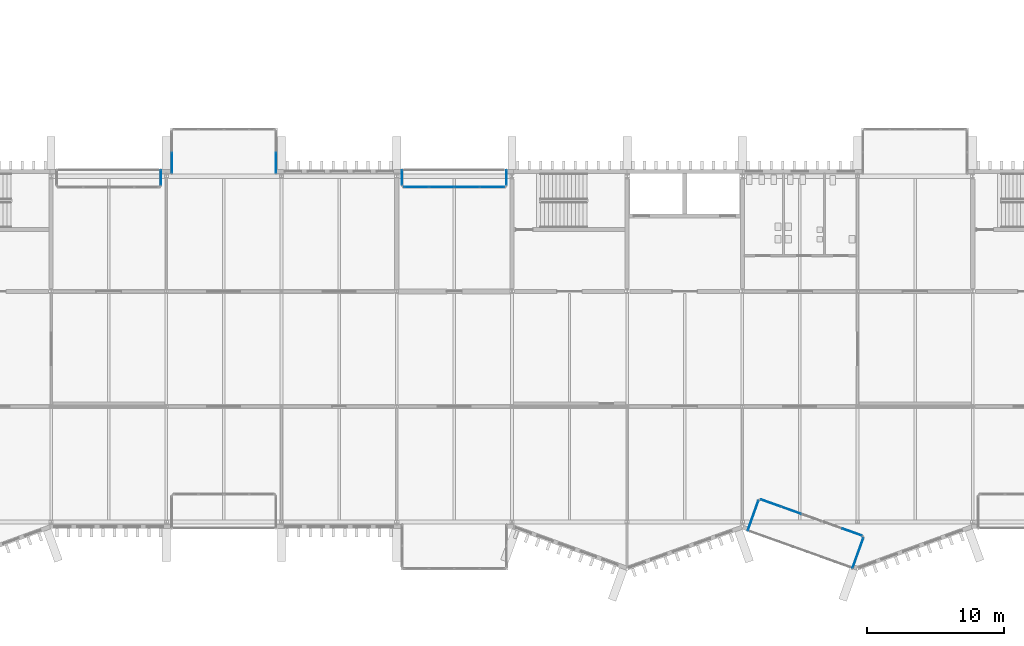
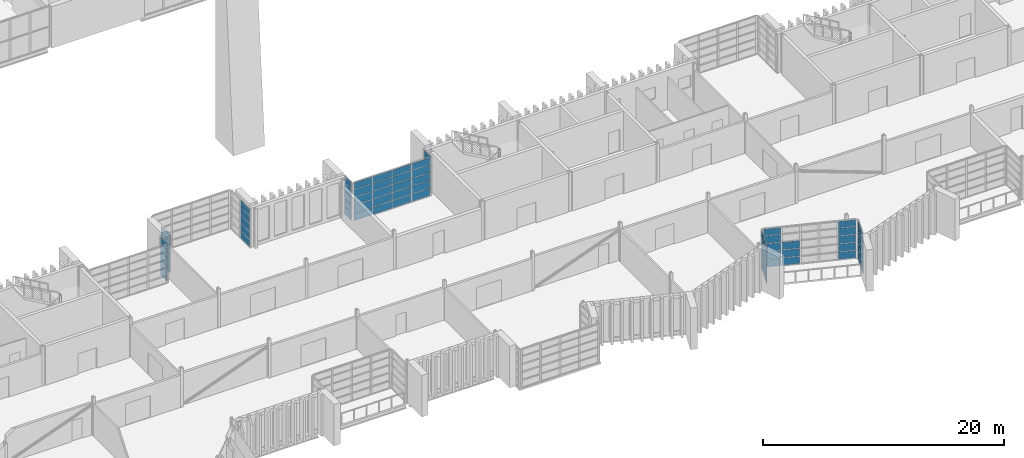
# One storey, part 47 of 88: 68 plates, 9 elements without a shape of their own.
"""IFC4 building model written with IfcOpenShell, lengths in metres."""

from ifc_helpers import new_model, si_unit, direction, frame, origin, origin_2d, place, context, subcontext, project, spatial, rectangle, extrude, material, layer, layer_set, type_object, element, aggregate, save


model = new_model("IFC4")

# Units and contexts
model_context = context("Model", 3, precision=1e-05, world=origin(), true_north=direction((0.0, 1.0)))
body_context = subcontext(model_context, "Body", "Model", "MODEL_VIEW")
ifc_project = project(units=[si_unit("LENGTHUNIT", "METRE"), si_unit("AREAUNIT", "SQUARE_METRE"), si_unit("VOLUMEUNIT", "CUBIC_METRE"), si_unit("PLANEANGLEUNIT", "RADIAN"), si_unit("MASSUNIT", "GRAM", prefix="KILO")], contexts=[model_context])

# Site, building, storey
site_placement = place(None, origin())
site = spatial("IfcSite", under=ifc_project, at=site_placement, CompositionType="ELEMENT")
building_placement = place(site_placement, origin())
building = spatial("IfcBuilding", under=site, at=building_placement, Name="Cresset Court Congress Hotel", CompositionType="ELEMENT")
storey_placement = place(building_placement, frame((0.0, 0.0, 14.39990234375)))
storey = spatial("IfcBuildingStorey", under=building, at=storey_placement, Name="L03", CompositionType="ELEMENT", Elevation=14.39990234375)

# Curtain wall, plates
ifc_material_1 = material(Name="Aluminium frame with double glazing", Category="aluminium")
ifc_layer_1 = layer(ifc_material_1, 0.199951171875)
ifc_layer_set_1 = layer_set([ifc_layer_1], Name="Glazed box curtain wall 1680 module")
curtain_wall_type = type_object("IfcCurtainWallType", Name="Glazed box curtain wall 1680 module", PredefinedType="NOTDEFINED", material=ifc_layer_set_1)
curtain_wall_1_placement = place(storey_placement, origin())
curtain_wall_1 = element("IfcCurtainWall", 1, at=curtain_wall_1_placement, inside=storey, type_object=curtain_wall_type, Name="Glazed box S0317 front", PredefinedType="NOTDEFINED")
ifc_material_2 = material(Name="Toughened double glazing", Category="glass")
ifc_layer_2 = layer(ifc_material_2, 0.028076171875)
ifc_layer_set_2 = layer_set([ifc_layer_2], Name="Box glass panel 28")
plate_type_1 = type_object("IfcPlateType", Name="Box glass panel 28", PredefinedType="CURTAIN_PANEL", material=ifc_layer_set_2)
plate_1_placement = place(storey_placement, frame((119.671630859375, 1.36474609375, 0.06005859375), z_axis=(0.0, 0.0, 1.0), x_axis=(0.941741911601, -0.336336396981, 0.0)))
plate_1 = element("IfcPlate", 2, at=plate_1_placement, type_object=plate_type_1, Name="B-X1 panel 1.1", PredefinedType="CURTAIN_PANEL", context=body_context, shape_type="SweptSolid", body=[
    extrude(rectangle(XDim=1.493896484375, YDim=0.028076171875, at=origin_2d()), origin(), (0.0, 0.0, 1.0), 0.715087890625),
])
plate_2_placement = place(storey_placement, frame((119.671630859375, 1.36474609375, 0.8349609375), z_axis=(0.0, 0.0, 1.0), x_axis=(0.941741911601, -0.336336396981, 0.0)))
plate_2 = element("IfcPlate", 3, at=plate_2_placement, type_object=plate_type_1, Name="B-X1 panel 1.2", PredefinedType="CURTAIN_PANEL", context=body_context, shape_type="SweptSolid", body=[
    extrude(rectangle(XDim=1.493896484375, YDim=0.028076171875, at=origin_2d()), origin(), (0.0, 0.0, 1.0), 0.7451171875),
])
plate_3_placement = place(storey_placement, frame((119.671630859375, 1.36474609375, 1.64013671875), z_axis=(0.0, 0.0, 1.0), x_axis=(0.941741911601, -0.336336396981, 0.0)))
plate_3 = element("IfcPlate", 4, at=plate_3_placement, type_object=plate_type_1, Name="B-X1 panel 1.3", PredefinedType="CURTAIN_PANEL", context=body_context, shape_type="SweptSolid", body=[
    extrude(rectangle(XDim=1.493896484375, YDim=0.028076171875, at=origin_2d()), origin(), (0.0, 0.0, 1.0), 0.7451171875),
])
plate_4_placement = place(storey_placement, frame((119.671630859375, 1.36474609375, 2.445068359375), z_axis=(0.0, 0.0, 1.0), x_axis=(0.941741911601, -0.336336396981, 0.0)))
plate_4 = element("IfcPlate", 5, at=plate_4_placement, type_object=plate_type_1, Name="B-X1 panel 1.4", PredefinedType="CURTAIN_PANEL", context=body_context, shape_type="SweptSolid", body=[
    extrude(rectangle(XDim=1.493896484375, YDim=0.028076171875, at=origin_2d()), origin(), (0.0, 0.0, 1.0), 0.7451171875),
])
plate_5_placement = place(storey_placement, frame((121.149169921875, 0.837158203125, 0.06005859375), z_axis=(0.0, 0.0, 1.0), x_axis=(0.941741911601, -0.336336396981, 0.0)))
plate_5 = element("IfcPlate", 6, at=plate_5_placement, type_object=plate_type_1, Name="B-X1 panel 2.1", PredefinedType="CURTAIN_PANEL", context=body_context, shape_type="SweptSolid", body=[
    extrude(rectangle(XDim=1.52392578125, YDim=0.028076171875, at=origin_2d()), origin(), (0.0, 0.0, 1.0), 0.715087890625),
])
plate_6_placement = place(storey_placement, frame((121.149169921875, 0.837158203125, 0.8349609375), z_axis=(0.0, 0.0, 1.0), x_axis=(0.941741911601, -0.336336396981, 0.0)))
plate_6 = element("IfcPlate", 7, at=plate_6_placement, type_object=plate_type_1, Name="B-X1 panel 2.2", PredefinedType="CURTAIN_PANEL", context=body_context, shape_type="SweptSolid", body=[
    extrude(rectangle(XDim=1.52392578125, YDim=0.028076171875, at=origin_2d()), origin(), (0.0, 0.0, 1.0), 0.7451171875),
])
plate_7_placement = place(storey_placement, frame((121.149169921875, 0.837158203125, 1.64013671875), z_axis=(0.0, 0.0, 1.0), x_axis=(0.941741911601, -0.336336396981, 0.0)))
plate_7 = element("IfcPlate", 8, at=plate_7_placement, type_object=plate_type_1, Name="B-X1 panel 2.3", PredefinedType="CURTAIN_PANEL", context=body_context, shape_type="SweptSolid", body=[
    extrude(rectangle(XDim=1.52392578125, YDim=0.028076171875, at=origin_2d()), origin(), (0.0, 0.0, 1.0), 0.7451171875),
])
plate_8_placement = place(storey_placement, frame((125.610107421875, -0.756103515625, 0.06005859375), z_axis=(0.0, 0.0, 1.0), x_axis=(0.941741911601, -0.336336396981, 0.0)))
plate_8 = element("IfcPlate", 9, at=plate_8_placement, type_object=plate_type_1, Name="B-X1 panel 5.1", PredefinedType="CURTAIN_PANEL", context=body_context, shape_type="SweptSolid", body=[
    extrude(rectangle(XDim=1.493896484375, YDim=0.028076171875, at=origin_2d()), origin(), (0.0, 0.0, 1.0), 0.715087890625),
])
plate_9_placement = place(storey_placement, frame((125.610107421875, -0.756103515625, 0.8349609375), z_axis=(0.0, 0.0, 1.0), x_axis=(0.941741911601, -0.336336396981, 0.0)))
plate_9 = element("IfcPlate", 10, at=plate_9_placement, type_object=plate_type_1, Name="B-X1 panel 5.2", PredefinedType="CURTAIN_PANEL", context=body_context, shape_type="SweptSolid", body=[
    extrude(rectangle(XDim=1.493896484375, YDim=0.028076171875, at=origin_2d()), origin(), (0.0, 0.0, 1.0), 0.7451171875),
])
plate_10_placement = place(storey_placement, frame((125.610107421875, -0.756103515625, 1.64013671875), z_axis=(0.0, 0.0, 1.0), x_axis=(0.941741911601, -0.336336396981, 0.0)))
plate_10 = element("IfcPlate", 11, at=plate_10_placement, type_object=plate_type_1, Name="B-X1 panel 5.3", PredefinedType="CURTAIN_PANEL", context=body_context, shape_type="SweptSolid", body=[
    extrude(rectangle(XDim=1.493896484375, YDim=0.028076171875, at=origin_2d()), origin(), (0.0, 0.0, 1.0), 0.7451171875),
])
plate_11_placement = place(storey_placement, frame((125.610107421875, -0.756103515625, 2.445068359375), z_axis=(0.0, 0.0, 1.0), x_axis=(0.941741911601, -0.336336396981, 0.0)))
plate_11 = element("IfcPlate", 12, at=plate_11_placement, type_object=plate_type_1, Name="B-X1 panel 5.4", PredefinedType="CURTAIN_PANEL", context=body_context, shape_type="SweptSolid", body=[
    extrude(rectangle(XDim=1.493896484375, YDim=0.028076171875, at=origin_2d()), origin(), (0.0, 0.0, 1.0), 0.7451171875),
])

curtain_wall_2_placement = place(storey_placement, origin())
curtain_wall_2 = element("IfcCurtainWall", 13, at=curtain_wall_2_placement, inside=storey, type_object=curtain_wall_type, Name="Glazed box S0317 side", PredefinedType="NOTDEFINED")
plate_12_placement = place(storey_placement, frame((118.38037109375, 0.445556640625, 0.06005859375), z_axis=(0.0, 0.0, 1.0), x_axis=(0.336336396685, 0.941741911707, 0.0)))
plate_12 = element("IfcPlate", 14, at=plate_12_placement, type_object=plate_type_1, Name="B-X1 panel 1.1", PredefinedType="CURTAIN_PANEL", context=body_context, shape_type="SweptSolid", body=[
    extrude(rectangle(XDim=2.280029296875, YDim=0.028076171875, at=origin_2d()), origin(), (0.0, 0.0, 1.0), 0.715087890625),
])
plate_13_placement = place(storey_placement, frame((118.38037109375, 0.445556640625, 0.8349609375), z_axis=(0.0, 0.0, 1.0), x_axis=(0.336336396685, 0.941741911707, 0.0)))
plate_13 = element("IfcPlate", 15, at=plate_13_placement, type_object=plate_type_1, Name="B-X1 panel 1.2", PredefinedType="CURTAIN_PANEL", context=body_context, shape_type="SweptSolid", body=[
    extrude(rectangle(XDim=2.280029296875, YDim=0.028076171875, at=origin_2d()), origin(), (0.0, 0.0, 1.0), 0.7451171875),
])
plate_14_placement = place(storey_placement, frame((118.38037109375, 0.445556640625, 1.64013671875), z_axis=(0.0, 0.0, 1.0), x_axis=(0.336336396685, 0.941741911707, 0.0)))
plate_14 = element("IfcPlate", 16, at=plate_14_placement, type_object=plate_type_1, Name="B-X1 panel 1.3", PredefinedType="CURTAIN_PANEL", context=body_context, shape_type="SweptSolid", body=[
    extrude(rectangle(XDim=2.280029296875, YDim=0.028076171875, at=origin_2d()), origin(), (0.0, 0.0, 1.0), 0.7451171875),
])
plate_15_placement = place(storey_placement, frame((118.38037109375, 0.445556640625, 2.445068359375), z_axis=(0.0, 0.0, 1.0), x_axis=(0.336336396685, 0.941741911707, 0.0)))
plate_15 = element("IfcPlate", 17, at=plate_15_placement, type_object=plate_type_1, Name="B-X1 panel 1.4", PredefinedType="CURTAIN_PANEL", context=body_context, shape_type="SweptSolid", body=[
    extrude(rectangle(XDim=2.280029296875, YDim=0.028076171875, at=origin_2d()), origin(), (0.0, 0.0, 1.0), 0.7451171875),
])

curtain_wall_3_placement = place(storey_placement, origin())
curtain_wall_3 = element("IfcCurtainWall", 18, at=curtain_wall_3_placement, inside=storey, type_object=curtain_wall_type, Name="Glazed box S0317 side", PredefinedType="NOTDEFINED")
plate_16_placement = place(storey_placement, frame((126.02685546875, -2.285400390625, 0.06005859375), z_axis=(0.0, 0.0, 1.0), x_axis=(0.336336397047, 0.941741911578, 0.0)))
plate_16 = element("IfcPlate", 19, at=plate_16_placement, type_object=plate_type_1, Name="B-X1 panel 1.1", PredefinedType="CURTAIN_PANEL", context=body_context, shape_type="SweptSolid", body=[
    extrude(rectangle(XDim=2.280029296875, YDim=0.028076171875, at=origin_2d()), origin(), (0.0, 0.0, 1.0), 0.715087890625),
])
plate_17_placement = place(storey_placement, frame((126.02685546875, -2.285400390625, 0.8349609375), z_axis=(0.0, 0.0, 1.0), x_axis=(0.336336397047, 0.941741911578, 0.0)))
plate_17 = element("IfcPlate", 20, at=plate_17_placement, type_object=plate_type_1, Name="B-X1 panel 1.2", PredefinedType="CURTAIN_PANEL", context=body_context, shape_type="SweptSolid", body=[
    extrude(rectangle(XDim=2.280029296875, YDim=0.028076171875, at=origin_2d()), origin(), (0.0, 0.0, 1.0), 0.7451171875),
])
plate_18_placement = place(storey_placement, frame((126.02685546875, -2.285400390625, 1.64013671875), z_axis=(0.0, 0.0, 1.0), x_axis=(0.336336397047, 0.941741911578, 0.0)))
plate_18 = element("IfcPlate", 21, at=plate_18_placement, type_object=plate_type_1, Name="B-X1 panel 1.3", PredefinedType="CURTAIN_PANEL", context=body_context, shape_type="SweptSolid", body=[
    extrude(rectangle(XDim=2.280029296875, YDim=0.028076171875, at=origin_2d()), origin(), (0.0, 0.0, 1.0), 0.7451171875),
])
plate_19_placement = place(storey_placement, frame((126.02685546875, -2.285400390625, 2.445068359375), z_axis=(0.0, 0.0, 1.0), x_axis=(0.336336397047, 0.941741911578, 0.0)))
plate_19 = element("IfcPlate", 22, at=plate_19_placement, type_object=plate_type_1, Name="B-X1 panel 1.4", PredefinedType="CURTAIN_PANEL", context=body_context, shape_type="SweptSolid", body=[
    extrude(rectangle(XDim=2.280029296875, YDim=0.028076171875, at=origin_2d()), origin(), (0.0, 0.0, 1.0), 0.7451171875),
])

curtain_wall_4_placement = place(storey_placement, origin())
curtain_wall_4 = element("IfcCurtainWall", 23, at=curtain_wall_4_placement, inside=storey, type_object=curtain_wall_type, Name="Glazed box N0327 side", PredefinedType="NOTDEFINED")
plate_20_placement = place(storey_placement, frame((75.199951171875, 25.10009765625, 0.06005859375), z_axis=(0.0, 0.0, 1.0), x_axis=(0.0, -1.0, 0.0)))
plate_20 = element("IfcPlate", 24, at=plate_20_placement, type_object=plate_type_1, Name="B-X1 panel 1.1", PredefinedType="CURTAIN_PANEL", context=body_context, shape_type="SweptSolid", body=[
    extrude(rectangle(XDim=1.080078125, YDim=0.028076171875, at=origin_2d()), origin(), (0.0, 0.0, 1.0), 0.715087890625),
])
plate_21_placement = place(storey_placement, frame((75.199951171875, 25.10009765625, 0.8349609375), z_axis=(0.0, 0.0, 1.0), x_axis=(0.0, -1.0, 0.0)))
plate_21 = element("IfcPlate", 25, at=plate_21_placement, type_object=plate_type_1, Name="B-X1 panel 1.2", PredefinedType="CURTAIN_PANEL", context=body_context, shape_type="SweptSolid", body=[
    extrude(rectangle(XDim=1.080078125, YDim=0.028076171875, at=origin_2d()), origin(), (0.0, 0.0, 1.0), 0.7451171875),
])
plate_22_placement = place(storey_placement, frame((75.199951171875, 25.10009765625, 1.64013671875), z_axis=(0.0, 0.0, 1.0), x_axis=(0.0, -1.0, 0.0)))
plate_22 = element("IfcPlate", 26, at=plate_22_placement, type_object=plate_type_1, Name="B-X1 panel 1.3", PredefinedType="CURTAIN_PANEL", context=body_context, shape_type="SweptSolid", body=[
    extrude(rectangle(XDim=1.080078125, YDim=0.028076171875, at=origin_2d()), origin(), (0.0, 0.0, 1.0), 0.7451171875),
])
plate_23_placement = place(storey_placement, frame((75.199951171875, 25.10009765625, 2.445068359375), z_axis=(0.0, 0.0, 1.0), x_axis=(0.0, -1.0, 0.0)))
plate_23 = element("IfcPlate", 27, at=plate_23_placement, type_object=plate_type_1, Name="B-X1 panel 1.4", PredefinedType="CURTAIN_PANEL", context=body_context, shape_type="SweptSolid", body=[
    extrude(rectangle(XDim=1.080078125, YDim=0.028076171875, at=origin_2d()), origin(), (0.0, 0.0, 1.0), 0.7451171875),
])

curtain_wall_5_placement = place(storey_placement, origin())
curtain_wall_5 = element("IfcCurtainWall", 28, at=curtain_wall_5_placement, inside=storey, type_object=curtain_wall_type, Name="Glazed box N0329 side", PredefinedType="NOTDEFINED")
plate_24_placement = place(storey_placement, frame((76.0, 26.18994140625, 0.06005859375), z_axis=(0.0, 0.0, 1.0), x_axis=(0.0, 1.0, 0.0)))
plate_24 = element("IfcPlate", 29, at=plate_24_placement, type_object=plate_type_1, Name="B-X1 panel 1.1", PredefinedType="CURTAIN_PANEL", context=body_context, shape_type="SweptSolid", body=[
    extrude(rectangle(XDim=1.4599609375, YDim=0.028076171875, at=origin_2d()), origin(), (0.0, 0.0, 1.0), 0.715087890625),
])
plate_25_placement = place(storey_placement, frame((76.0, 26.18994140625, 0.8349609375), z_axis=(0.0, 0.0, 1.0), x_axis=(0.0, 1.0, 0.0)))
plate_25 = element("IfcPlate", 30, at=plate_25_placement, type_object=plate_type_1, Name="B-X1 panel 1.2", PredefinedType="CURTAIN_PANEL", context=body_context, shape_type="SweptSolid", body=[
    extrude(rectangle(XDim=1.4599609375, YDim=0.028076171875, at=origin_2d()), origin(), (0.0, 0.0, 1.0), 0.7451171875),
])
plate_26_placement = place(storey_placement, frame((76.0, 26.18994140625, 1.64013671875), z_axis=(0.0, 0.0, 1.0), x_axis=(0.0, 1.0, 0.0)))
plate_26 = element("IfcPlate", 31, at=plate_26_placement, type_object=plate_type_1, Name="B-X1 panel 1.3", PredefinedType="CURTAIN_PANEL", context=body_context, shape_type="SweptSolid", body=[
    extrude(rectangle(XDim=1.4599609375, YDim=0.028076171875, at=origin_2d()), origin(), (0.0, 0.0, 1.0), 0.7451171875),
])
plate_27_placement = place(storey_placement, frame((76.0, 26.18994140625, 2.445068359375), z_axis=(0.0, 0.0, 1.0), x_axis=(0.0, 1.0, 0.0)))
plate_27 = element("IfcPlate", 32, at=plate_27_placement, type_object=plate_type_1, Name="B-X1 panel 1.4", PredefinedType="CURTAIN_PANEL", context=body_context, shape_type="SweptSolid", body=[
    extrude(rectangle(XDim=1.4599609375, YDim=0.028076171875, at=origin_2d()), origin(), (0.0, 0.0, 1.0), 0.7451171875),
])

curtain_wall_6_placement = place(storey_placement, origin())
curtain_wall_6 = element("IfcCurtainWall", 33, at=curtain_wall_6_placement, inside=storey, type_object=curtain_wall_type, Name="Glazed box N0329 side", PredefinedType="NOTDEFINED")
plate_28_placement = place(storey_placement, frame((83.60009765625, 26.18994140625, 0.06005859375), z_axis=(0.0, 0.0, 1.0), x_axis=(0.0, 1.0, 0.0)))
plate_28 = element("IfcPlate", 34, at=plate_28_placement, type_object=plate_type_1, Name="B-X1 panel 1.1", PredefinedType="CURTAIN_PANEL", context=body_context, shape_type="SweptSolid", body=[
    extrude(rectangle(XDim=1.4599609375, YDim=0.028076171875, at=origin_2d()), origin(), (0.0, 0.0, 1.0), 0.715087890625),
])
plate_29_placement = place(storey_placement, frame((83.60009765625, 26.18994140625, 0.8349609375), z_axis=(0.0, 0.0, 1.0), x_axis=(0.0, 1.0, 0.0)))
plate_29 = element("IfcPlate", 35, at=plate_29_placement, type_object=plate_type_1, Name="B-X1 panel 1.2", PredefinedType="CURTAIN_PANEL", context=body_context, shape_type="SweptSolid", body=[
    extrude(rectangle(XDim=1.4599609375, YDim=0.028076171875, at=origin_2d()), origin(), (0.0, 0.0, 1.0), 0.7451171875),
])
plate_30_placement = place(storey_placement, frame((83.60009765625, 26.18994140625, 1.64013671875), z_axis=(0.0, 0.0, 1.0), x_axis=(0.0, 1.0, 0.0)))
plate_30 = element("IfcPlate", 36, at=plate_30_placement, type_object=plate_type_1, Name="B-X1 panel 1.3", PredefinedType="CURTAIN_PANEL", context=body_context, shape_type="SweptSolid", body=[
    extrude(rectangle(XDim=1.4599609375, YDim=0.028076171875, at=origin_2d()), origin(), (0.0, 0.0, 1.0), 0.7451171875),
])
plate_31_placement = place(storey_placement, frame((83.60009765625, 26.18994140625, 2.445068359375), z_axis=(0.0, 0.0, 1.0), x_axis=(0.0, 1.0, 0.0)))
plate_31 = element("IfcPlate", 37, at=plate_31_placement, type_object=plate_type_1, Name="B-X1 panel 1.4", PredefinedType="CURTAIN_PANEL", context=body_context, shape_type="SweptSolid", body=[
    extrude(rectangle(XDim=1.4599609375, YDim=0.028076171875, at=origin_2d()), origin(), (0.0, 0.0, 1.0), 0.7451171875),
])

curtain_wall_7_placement = place(storey_placement, origin())
curtain_wall_7 = element("IfcCurtainWall", 38, at=curtain_wall_7_placement, inside=storey, type_object=curtain_wall_type, Name="Glazed box N0331 front", PredefinedType="NOTDEFINED")
plate_32_placement = place(storey_placement, frame((93.840087890625, 24.39990234375, 0.06005859375), z_axis=(0.0, 0.0, 1.0), x_axis=(1.0, 0.0, 0.0)))
plate_32 = element("IfcPlate", 39, at=plate_32_placement, type_object=plate_type_1, Name="B-X1 panel 1.1", PredefinedType="CURTAIN_PANEL", context=body_context, shape_type="SweptSolid", body=[
    extrude(rectangle(XDim=1.760009765625, YDim=0.028076171875, at=origin_2d()), origin(), (0.0, 0.0, 1.0), 0.715087890625),
])
plate_33_placement = place(storey_placement, frame((93.840087890625, 24.39990234375, 0.8349609375), z_axis=(0.0, 0.0, 1.0), x_axis=(1.0, 0.0, 0.0)))
plate_33 = element("IfcPlate", 40, at=plate_33_placement, type_object=plate_type_1, Name="B-X1 panel 1.2", PredefinedType="CURTAIN_PANEL", context=body_context, shape_type="SweptSolid", body=[
    extrude(rectangle(XDim=1.760009765625, YDim=0.028076171875, at=origin_2d()), origin(), (0.0, 0.0, 1.0), 0.7451171875),
])
plate_34_placement = place(storey_placement, frame((93.840087890625, 24.39990234375, 1.64013671875), z_axis=(0.0, 0.0, 1.0), x_axis=(1.0, 0.0, 0.0)))
plate_34 = element("IfcPlate", 41, at=plate_34_placement, type_object=plate_type_1, Name="B-X1 panel 1.3", PredefinedType="CURTAIN_PANEL", context=body_context, shape_type="SweptSolid", body=[
    extrude(rectangle(XDim=1.760009765625, YDim=0.028076171875, at=origin_2d()), origin(), (0.0, 0.0, 1.0), 0.7451171875),
])
plate_35_placement = place(storey_placement, frame((93.840087890625, 24.39990234375, 2.445068359375), z_axis=(0.0, 0.0, 1.0), x_axis=(1.0, 0.0, 0.0)))
plate_35 = element("IfcPlate", 42, at=plate_35_placement, type_object=plate_type_1, Name="B-X1 panel 1.4", PredefinedType="CURTAIN_PANEL", context=body_context, shape_type="SweptSolid", body=[
    extrude(rectangle(XDim=1.760009765625, YDim=0.028076171875, at=origin_2d()), origin(), (0.0, 0.0, 1.0), 0.7451171875),
])
plate_36_placement = place(storey_placement, frame((95.675048828125, 24.39990234375, 0.06005859375), z_axis=(0.0, 0.0, 1.0), x_axis=(1.0, 0.0, 0.0)))
plate_36 = element("IfcPlate", 43, at=plate_36_placement, type_object=plate_type_1, Name="B-X1 panel 2.1", PredefinedType="CURTAIN_PANEL", context=body_context, shape_type="SweptSolid", body=[
    extrude(rectangle(XDim=1.7900390625, YDim=0.028076171875, at=origin_2d()), origin(), (0.0, 0.0, 1.0), 0.715087890625),
])
plate_37_placement = place(storey_placement, frame((95.675048828125, 24.39990234375, 0.8349609375), z_axis=(0.0, 0.0, 1.0), x_axis=(1.0, 0.0, 0.0)))
plate_37 = element("IfcPlate", 44, at=plate_37_placement, type_object=plate_type_1, Name="B-X1 panel 2.2", PredefinedType="CURTAIN_PANEL", context=body_context, shape_type="SweptSolid", body=[
    extrude(rectangle(XDim=1.7900390625, YDim=0.028076171875, at=origin_2d()), origin(), (0.0, 0.0, 1.0), 0.7451171875),
])
plate_38_placement = place(storey_placement, frame((95.675048828125, 24.39990234375, 1.64013671875), z_axis=(0.0, 0.0, 1.0), x_axis=(1.0, 0.0, 0.0)))
plate_38 = element("IfcPlate", 45, at=plate_38_placement, type_object=plate_type_1, Name="B-X1 panel 2.3", PredefinedType="CURTAIN_PANEL", context=body_context, shape_type="SweptSolid", body=[
    extrude(rectangle(XDim=1.7900390625, YDim=0.028076171875, at=origin_2d()), origin(), (0.0, 0.0, 1.0), 0.7451171875),
])
plate_39_placement = place(storey_placement, frame((95.675048828125, 24.39990234375, 2.445068359375), z_axis=(0.0, 0.0, 1.0), x_axis=(1.0, 0.0, 0.0)))
plate_39 = element("IfcPlate", 46, at=plate_39_placement, type_object=plate_type_1, Name="B-X1 panel 2.4", PredefinedType="CURTAIN_PANEL", context=body_context, shape_type="SweptSolid", body=[
    extrude(rectangle(XDim=1.7900390625, YDim=0.028076171875, at=origin_2d()), origin(), (0.0, 0.0, 1.0), 0.7451171875),
])
plate_40_placement = place(storey_placement, frame((97.52490234375, 24.39990234375, 0.06005859375), z_axis=(0.0, 0.0, 1.0), x_axis=(1.0, 0.0, 0.0)))
plate_40 = element("IfcPlate", 47, at=plate_40_placement, type_object=plate_type_1, Name="B-X1 panel 3.1", PredefinedType="CURTAIN_PANEL", context=body_context, shape_type="SweptSolid", body=[
    extrude(rectangle(XDim=1.7900390625, YDim=0.028076171875, at=origin_2d()), origin(), (0.0, 0.0, 1.0), 0.715087890625),
])
plate_41_placement = place(storey_placement, frame((97.52490234375, 24.39990234375, 0.8349609375), z_axis=(0.0, 0.0, 1.0), x_axis=(1.0, 0.0, 0.0)))
plate_41 = element("IfcPlate", 48, at=plate_41_placement, type_object=plate_type_1, Name="B-X1 panel 3.2", PredefinedType="CURTAIN_PANEL", context=body_context, shape_type="SweptSolid", body=[
    extrude(rectangle(XDim=1.7900390625, YDim=0.028076171875, at=origin_2d()), origin(), (0.0, 0.0, 1.0), 0.7451171875),
])
plate_42_placement = place(storey_placement, frame((97.52490234375, 24.39990234375, 1.64013671875), z_axis=(0.0, 0.0, 1.0), x_axis=(1.0, 0.0, 0.0)))
plate_42 = element("IfcPlate", 49, at=plate_42_placement, type_object=plate_type_1, Name="B-X1 panel 3.3", PredefinedType="CURTAIN_PANEL", context=body_context, shape_type="SweptSolid", body=[
    extrude(rectangle(XDim=1.7900390625, YDim=0.028076171875, at=origin_2d()), origin(), (0.0, 0.0, 1.0), 0.7451171875),
])
plate_43_placement = place(storey_placement, frame((97.52490234375, 24.39990234375, 2.445068359375), z_axis=(0.0, 0.0, 1.0), x_axis=(1.0, 0.0, 0.0)))
plate_43 = element("IfcPlate", 50, at=plate_43_placement, type_object=plate_type_1, Name="B-X1 panel 3.4", PredefinedType="CURTAIN_PANEL", context=body_context, shape_type="SweptSolid", body=[
    extrude(rectangle(XDim=1.7900390625, YDim=0.028076171875, at=origin_2d()), origin(), (0.0, 0.0, 1.0), 0.7451171875),
])
plate_44_placement = place(storey_placement, frame((99.360107421875, 24.39990234375, 0.06005859375), z_axis=(0.0, 0.0, 1.0), x_axis=(1.0, 0.0, 0.0)))
plate_44 = element("IfcPlate", 51, at=plate_44_placement, type_object=plate_type_1, Name="B-X1 panel 4.1", PredefinedType="CURTAIN_PANEL", context=body_context, shape_type="SweptSolid", body=[
    extrude(rectangle(XDim=1.760009765625, YDim=0.028076171875, at=origin_2d()), origin(), (0.0, 0.0, 1.0), 0.715087890625),
])
plate_45_placement = place(storey_placement, frame((99.360107421875, 24.39990234375, 0.8349609375), z_axis=(0.0, 0.0, 1.0), x_axis=(1.0, 0.0, 0.0)))
plate_45 = element("IfcPlate", 52, at=plate_45_placement, type_object=plate_type_1, Name="B-X1 panel 4.2", PredefinedType="CURTAIN_PANEL", context=body_context, shape_type="SweptSolid", body=[
    extrude(rectangle(XDim=1.760009765625, YDim=0.028076171875, at=origin_2d()), origin(), (0.0, 0.0, 1.0), 0.7451171875),
])
plate_46_placement = place(storey_placement, frame((99.360107421875, 24.39990234375, 1.64013671875), z_axis=(0.0, 0.0, 1.0), x_axis=(1.0, 0.0, 0.0)))
plate_46 = element("IfcPlate", 53, at=plate_46_placement, type_object=plate_type_1, Name="B-X1 panel 4.3", PredefinedType="CURTAIN_PANEL", context=body_context, shape_type="SweptSolid", body=[
    extrude(rectangle(XDim=1.760009765625, YDim=0.028076171875, at=origin_2d()), origin(), (0.0, 0.0, 1.0), 0.7451171875),
])
plate_47_placement = place(storey_placement, frame((99.360107421875, 24.39990234375, 2.445068359375), z_axis=(0.0, 0.0, 1.0), x_axis=(1.0, 0.0, 0.0)))
plate_47 = element("IfcPlate", 54, at=plate_47_placement, type_object=plate_type_1, Name="B-X1 panel 4.4", PredefinedType="CURTAIN_PANEL", context=body_context, shape_type="SweptSolid", body=[
    extrude(rectangle(XDim=1.760009765625, YDim=0.028076171875, at=origin_2d()), origin(), (0.0, 0.0, 1.0), 0.7451171875),
])

curtain_wall_8_placement = place(storey_placement, origin())
curtain_wall_8 = element("IfcCurtainWall", 55, at=curtain_wall_8_placement, inside=storey, type_object=curtain_wall_type, Name="Glazed box N0331 side", PredefinedType="NOTDEFINED")
plate_48_placement = place(storey_placement, frame((92.800048828125, 25.10009765625, 0.06005859375), z_axis=(0.0, 0.0, 1.0), x_axis=(0.0, -1.0, 0.0)))
plate_48 = element("IfcPlate", 56, at=plate_48_placement, type_object=plate_type_1, Name="B-X1 panel 1.1", PredefinedType="CURTAIN_PANEL", context=body_context, shape_type="SweptSolid", body=[
    extrude(rectangle(XDim=1.080078125, YDim=0.028076171875, at=origin_2d()), origin(), (0.0, 0.0, 1.0), 0.715087890625),
])
plate_49_placement = place(storey_placement, frame((92.800048828125, 25.10009765625, 0.8349609375), z_axis=(0.0, 0.0, 1.0), x_axis=(0.0, -1.0, 0.0)))
plate_49 = element("IfcPlate", 57, at=plate_49_placement, type_object=plate_type_1, Name="B-X1 panel 1.2", PredefinedType="CURTAIN_PANEL", context=body_context, shape_type="SweptSolid", body=[
    extrude(rectangle(XDim=1.080078125, YDim=0.028076171875, at=origin_2d()), origin(), (0.0, 0.0, 1.0), 0.7451171875),
])
plate_50_placement = place(storey_placement, frame((92.800048828125, 25.10009765625, 1.64013671875), z_axis=(0.0, 0.0, 1.0), x_axis=(0.0, -1.0, 0.0)))
plate_50 = element("IfcPlate", 58, at=plate_50_placement, type_object=plate_type_1, Name="B-X1 panel 1.3", PredefinedType="CURTAIN_PANEL", context=body_context, shape_type="SweptSolid", body=[
    extrude(rectangle(XDim=1.080078125, YDim=0.028076171875, at=origin_2d()), origin(), (0.0, 0.0, 1.0), 0.7451171875),
])
plate_51_placement = place(storey_placement, frame((92.800048828125, 25.10009765625, 2.445068359375), z_axis=(0.0, 0.0, 1.0), x_axis=(0.0, -1.0, 0.0)))
plate_51 = element("IfcPlate", 59, at=plate_51_placement, type_object=plate_type_1, Name="B-X1 panel 1.4", PredefinedType="CURTAIN_PANEL", context=body_context, shape_type="SweptSolid", body=[
    extrude(rectangle(XDim=1.080078125, YDim=0.028076171875, at=origin_2d()), origin(), (0.0, 0.0, 1.0), 0.7451171875),
])

curtain_wall_9_placement = place(storey_placement, origin())
curtain_wall_9 = element("IfcCurtainWall", 60, at=curtain_wall_9_placement, inside=storey, type_object=curtain_wall_type, Name="Glazed box N0331 side", PredefinedType="NOTDEFINED")
plate_52_placement = place(storey_placement, frame((100.39990234375, 25.10009765625, 0.06005859375), z_axis=(0.0, 0.0, 1.0), x_axis=(0.0, -1.0, 0.0)))
plate_52 = element("IfcPlate", 61, at=plate_52_placement, type_object=plate_type_1, Name="B-X1 panel 1.1", PredefinedType="CURTAIN_PANEL", context=body_context, shape_type="SweptSolid", body=[
    extrude(rectangle(XDim=1.080078125, YDim=0.028076171875, at=origin_2d()), origin(), (0.0, 0.0, 1.0), 0.715087890625),
])
plate_53_placement = place(storey_placement, frame((100.39990234375, 25.10009765625, 0.8349609375), z_axis=(0.0, 0.0, 1.0), x_axis=(0.0, -1.0, 0.0)))
plate_53 = element("IfcPlate", 62, at=plate_53_placement, type_object=plate_type_1, Name="B-X1 panel 1.2", PredefinedType="CURTAIN_PANEL", context=body_context, shape_type="SweptSolid", body=[
    extrude(rectangle(XDim=1.080078125, YDim=0.028076171875, at=origin_2d()), origin(), (0.0, 0.0, 1.0), 0.7451171875),
])
plate_54_placement = place(storey_placement, frame((100.39990234375, 25.10009765625, 1.64013671875), z_axis=(0.0, 0.0, 1.0), x_axis=(0.0, -1.0, 0.0)))
plate_54 = element("IfcPlate", 63, at=plate_54_placement, type_object=plate_type_1, Name="B-X1 panel 1.3", PredefinedType="CURTAIN_PANEL", context=body_context, shape_type="SweptSolid", body=[
    extrude(rectangle(XDim=1.080078125, YDim=0.028076171875, at=origin_2d()), origin(), (0.0, 0.0, 1.0), 0.7451171875),
])
plate_55_placement = place(storey_placement, frame((100.39990234375, 25.10009765625, 2.445068359375), z_axis=(0.0, 0.0, 1.0), x_axis=(0.0, -1.0, 0.0)))
plate_55 = element("IfcPlate", 64, at=plate_55_placement, type_object=plate_type_1, Name="B-X1 panel 1.4", PredefinedType="CURTAIN_PANEL", context=body_context, shape_type="SweptSolid", body=[
    extrude(rectangle(XDim=1.080078125, YDim=0.028076171875, at=origin_2d()), origin(), (0.0, 0.0, 1.0), 0.7451171875),
])

# Plate
ifc_material_3 = material(Name="Insulated aluminium spandrel panel", Category="aluminium")
ifc_layer_3 = layer(ifc_material_3, 0.0400390625)
ifc_layer_set_3 = layer_set([ifc_layer_3], Name="Box spandrel panel 40")
plate_type_2 = type_object("IfcPlateType", Name="Box spandrel panel 40", PredefinedType="CURTAIN_PANEL", material=ifc_layer_set_3)
plate_56_placement = place(storey_placement, frame((119.671630859375, 1.36474609375, 3.25), z_axis=(0.0, 0.0, 1.0), x_axis=(0.941741911601, -0.336336396981, 0.0)))
plate_56 = element("IfcPlate", 65, at=plate_56_placement, type_object=plate_type_2, Name="B-X1 spandrel panel 1.5", PredefinedType="CURTAIN_PANEL", context=body_context, shape_type="SweptSolid", body=[
    extrude(rectangle(XDim=1.493896484375, YDim=0.0400390625, at=origin_2d()), origin(), (0.0, 0.0, 1.0), 0.639892578125),
])

plate_57_placement = place(storey_placement, frame((125.610107421875, -0.756103515625, 3.25), z_axis=(0.0, 0.0, 1.0), x_axis=(0.941741911601, -0.336336396981, 0.0)))
plate_57 = element("IfcPlate", 66, at=plate_57_placement, type_object=plate_type_2, Name="B-X1 spandrel panel 5.5", PredefinedType="CURTAIN_PANEL", context=body_context, shape_type="SweptSolid", body=[
    extrude(rectangle(XDim=1.493896484375, YDim=0.0400390625, at=origin_2d()), origin(), (0.0, 0.0, 1.0), 0.639892578125),
])

aggregate(curtain_wall_1, [plate_1, plate_2, plate_3, plate_4, plate_56, plate_5, plate_6, plate_7, plate_8, plate_9, plate_10, plate_11, plate_57])

plate_58_placement = place(storey_placement, frame((118.38037109375, 0.445556640625, 3.25), z_axis=(0.0, 0.0, 1.0), x_axis=(0.336336396685, 0.941741911707, 0.0)))
plate_58 = element("IfcPlate", 67, at=plate_58_placement, type_object=plate_type_2, Name="B-X1 spandrel panel 1.5", PredefinedType="CURTAIN_PANEL", context=body_context, shape_type="SweptSolid", body=[
    extrude(rectangle(XDim=2.280029296875, YDim=0.0400390625, at=origin_2d()), origin(), (0.0, 0.0, 1.0), 0.639892578125),
])

aggregate(curtain_wall_2, [plate_12, plate_13, plate_14, plate_15, plate_58])

plate_59_placement = place(storey_placement, frame((126.02685546875, -2.285400390625, 3.25), z_axis=(0.0, 0.0, 1.0), x_axis=(0.336336397047, 0.941741911578, 0.0)))
plate_59 = element("IfcPlate", 68, at=plate_59_placement, type_object=plate_type_2, Name="B-X1 spandrel panel 1.5", PredefinedType="CURTAIN_PANEL", context=body_context, shape_type="SweptSolid", body=[
    extrude(rectangle(XDim=2.280029296875, YDim=0.0400390625, at=origin_2d()), origin(), (0.0, 0.0, 1.0), 0.639892578125),
])

aggregate(curtain_wall_3, [plate_16, plate_17, plate_18, plate_19, plate_59])

plate_60_placement = place(storey_placement, frame((75.199951171875, 25.10009765625, 3.25), z_axis=(0.0, 0.0, 1.0), x_axis=(0.0, -1.0, 0.0)))
plate_60 = element("IfcPlate", 69, at=plate_60_placement, type_object=plate_type_2, Name="B-X1 spandrel panel 1.5", PredefinedType="CURTAIN_PANEL", context=body_context, shape_type="SweptSolid", body=[
    extrude(rectangle(XDim=1.080078125, YDim=0.0400390625, at=origin_2d()), origin(), (0.0, 0.0, 1.0), 0.639892578125),
])

aggregate(curtain_wall_4, [plate_20, plate_21, plate_22, plate_23, plate_60])

plate_61_placement = place(storey_placement, frame((76.0, 26.18994140625, 3.25), z_axis=(0.0, 0.0, 1.0), x_axis=(0.0, 1.0, 0.0)))
plate_61 = element("IfcPlate", 70, at=plate_61_placement, type_object=plate_type_2, Name="B-X1 spandrel panel 1.5", PredefinedType="CURTAIN_PANEL", context=body_context, shape_type="SweptSolid", body=[
    extrude(rectangle(XDim=1.4599609375, YDim=0.0400390625, at=origin_2d()), origin(), (0.0, 0.0, 1.0), 0.639892578125),
])

aggregate(curtain_wall_5, [plate_24, plate_25, plate_26, plate_27, plate_61])

plate_62_placement = place(storey_placement, frame((83.60009765625, 26.18994140625, 3.25), z_axis=(0.0, 0.0, 1.0), x_axis=(0.0, 1.0, 0.0)))
plate_62 = element("IfcPlate", 71, at=plate_62_placement, type_object=plate_type_2, Name="B-X1 spandrel panel 1.5", PredefinedType="CURTAIN_PANEL", context=body_context, shape_type="SweptSolid", body=[
    extrude(rectangle(XDim=1.4599609375, YDim=0.0400390625, at=origin_2d()), origin(), (0.0, 0.0, 1.0), 0.639892578125),
])

aggregate(curtain_wall_6, [plate_28, plate_29, plate_30, plate_31, plate_62])

plate_63_placement = place(storey_placement, frame((93.840087890625, 24.39990234375, 3.25), z_axis=(0.0, 0.0, 1.0), x_axis=(1.0, 0.0, 0.0)))
plate_63 = element("IfcPlate", 72, at=plate_63_placement, type_object=plate_type_2, Name="B-X1 spandrel panel 1.5", PredefinedType="CURTAIN_PANEL", context=body_context, shape_type="SweptSolid", body=[
    extrude(rectangle(XDim=1.760009765625, YDim=0.0400390625, at=origin_2d()), origin(), (0.0, 0.0, 1.0), 0.639892578125),
])

plate_64_placement = place(storey_placement, frame((95.675048828125, 24.39990234375, 3.25), z_axis=(0.0, 0.0, 1.0), x_axis=(1.0, 0.0, 0.0)))
plate_64 = element("IfcPlate", 73, at=plate_64_placement, type_object=plate_type_2, Name="B-X1 spandrel panel 2.5", PredefinedType="CURTAIN_PANEL", context=body_context, shape_type="SweptSolid", body=[
    extrude(rectangle(XDim=1.7900390625, YDim=0.0400390625, at=origin_2d()), origin(), (0.0, 0.0, 1.0), 0.639892578125),
])

plate_65_placement = place(storey_placement, frame((97.52490234375, 24.39990234375, 3.25), z_axis=(0.0, 0.0, 1.0), x_axis=(1.0, 0.0, 0.0)))
plate_65 = element("IfcPlate", 74, at=plate_65_placement, type_object=plate_type_2, Name="B-X1 spandrel panel 3.5", PredefinedType="CURTAIN_PANEL", context=body_context, shape_type="SweptSolid", body=[
    extrude(rectangle(XDim=1.7900390625, YDim=0.0400390625, at=origin_2d()), origin(), (0.0, 0.0, 1.0), 0.639892578125),
])

plate_66_placement = place(storey_placement, frame((99.360107421875, 24.39990234375, 3.25), z_axis=(0.0, 0.0, 1.0), x_axis=(1.0, 0.0, 0.0)))
plate_66 = element("IfcPlate", 75, at=plate_66_placement, type_object=plate_type_2, Name="B-X1 spandrel panel 4.5", PredefinedType="CURTAIN_PANEL", context=body_context, shape_type="SweptSolid", body=[
    extrude(rectangle(XDim=1.760009765625, YDim=0.0400390625, at=origin_2d()), origin(), (0.0, 0.0, 1.0), 0.639892578125),
])

aggregate(curtain_wall_7, [plate_32, plate_33, plate_34, plate_35, plate_63, plate_36, plate_37, plate_38, plate_39, plate_64, plate_40, plate_41, plate_42, plate_43, plate_65, plate_44, plate_45, plate_46, plate_47, plate_66])

plate_67_placement = place(storey_placement, frame((92.800048828125, 25.10009765625, 3.25), z_axis=(0.0, 0.0, 1.0), x_axis=(0.0, -1.0, 0.0)))
plate_67 = element("IfcPlate", 76, at=plate_67_placement, type_object=plate_type_2, Name="B-X1 spandrel panel 1.5", PredefinedType="CURTAIN_PANEL", context=body_context, shape_type="SweptSolid", body=[
    extrude(rectangle(XDim=1.080078125, YDim=0.0400390625, at=origin_2d()), origin(), (0.0, 0.0, 1.0), 0.639892578125),
])

aggregate(curtain_wall_8, [plate_48, plate_49, plate_50, plate_51, plate_67])

plate_68_placement = place(storey_placement, frame((100.39990234375, 25.10009765625, 3.25), z_axis=(0.0, 0.0, 1.0), x_axis=(0.0, -1.0, 0.0)))
plate_68 = element("IfcPlate", 77, at=plate_68_placement, type_object=plate_type_2, Name="B-X1 spandrel panel 1.5", PredefinedType="CURTAIN_PANEL", context=body_context, shape_type="SweptSolid", body=[
    extrude(rectangle(XDim=1.080078125, YDim=0.0400390625, at=origin_2d()), origin(), (0.0, 0.0, 1.0), 0.639892578125),
])

aggregate(curtain_wall_9, [plate_52, plate_53, plate_54, plate_55, plate_68])

save(model, "model.ifc")
